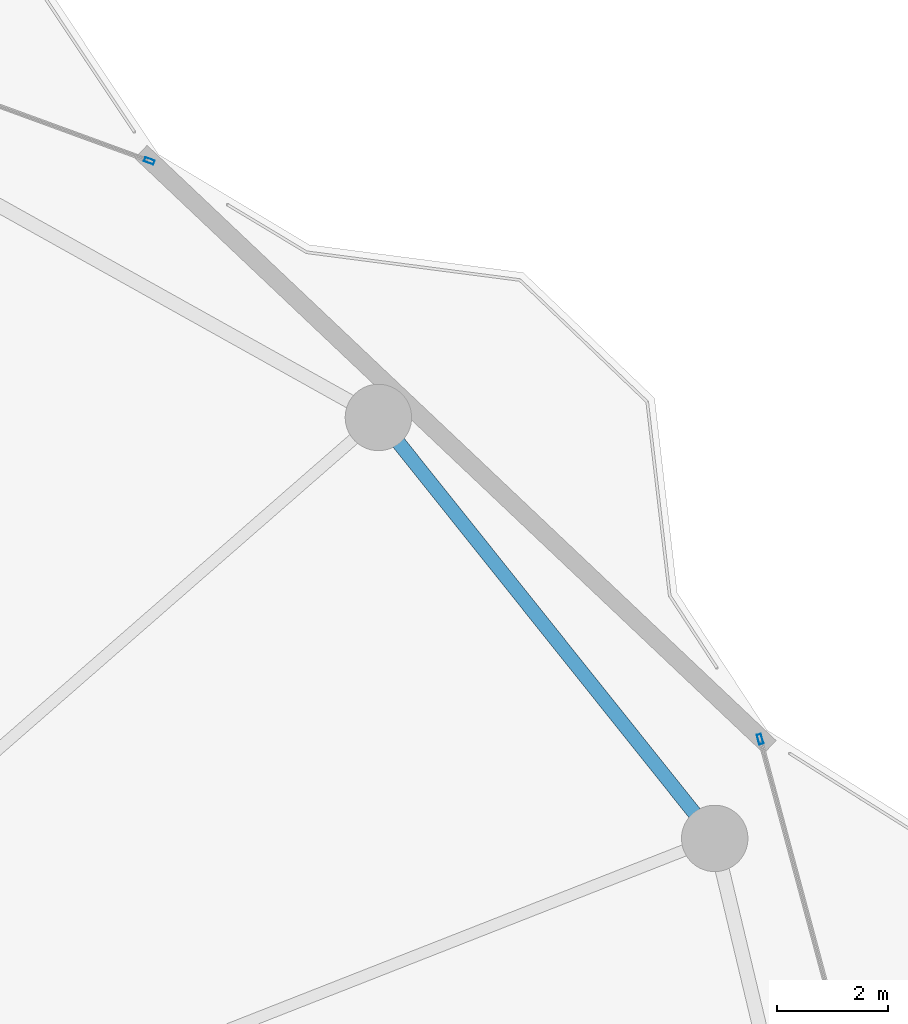
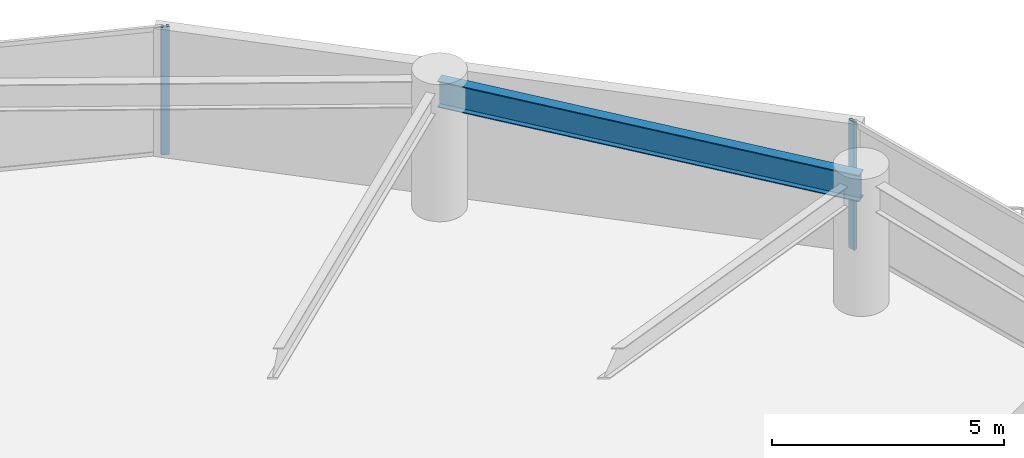
# One storey, part 21 of 28: 2 members, 1 beam, 2 elements without a shape of their own.
"""IFC4 building model written with IfcOpenShell, lengths in metres."""

from ifc_helpers import new_model, si_unit, direction, frame, origin, origin_2d, place, context, subcontext, project, spatial, hollow_rectangle, i_section, extrude, material, layer, layer_set, material_profile, profile_set, type_object, element, aggregate, save


model = new_model("IFC4")

# Units and contexts
model_context = context("Model", 3, precision=1e-05, world=origin(), true_north=direction((0.0, 1.0)))
body_context = subcontext(model_context, "Body", "Model", "MODEL_VIEW")
ifc_project = project(units=[si_unit("LENGTHUNIT", "METRE"), si_unit("AREAUNIT", "SQUARE_METRE"), si_unit("VOLUMEUNIT", "CUBIC_METRE"), si_unit("PLANEANGLEUNIT", "RADIAN"), si_unit("MASSUNIT", "GRAM", prefix="KILO")], contexts=[model_context])

# Site, building, storey
site_placement = place(None, origin())
site = spatial("IfcSite", under=ifc_project, at=site_placement, CompositionType="ELEMENT")
building_placement = place(site_placement, origin())
building = spatial("IfcBuilding", under=site, at=building_placement, Name="Kazevale Care Tower and Concert Hall", CompositionType="ELEMENT")
storey_placement = place(building_placement, frame((0.0, 0.0, 102.60009765625)))
storey = spatial("IfcBuildingStorey", under=building, at=storey_placement, Name="L26", CompositionType="ELEMENT", Elevation=102.60009765625)

# Curtain wall, member
ifc_material_1 = material(Name="Aluminium 6063-T6 and Low-E Glass", Category="aluminium")
ifc_layer_1 = layer(ifc_material_1, 0.179931640625)
ifc_layer_set_1 = layer_set([ifc_layer_1], Name="Aluminium 6063-T6 and Low-E Glass")
curtain_wall_type_1 = type_object("IfcCurtainWallType", Name="Convex Checkerboard Finned Curtain Wall CW-2", PredefinedType="NOTDEFINED", material=ifc_layer_set_1)
curtain_wall_1_placement = place(storey_placement, origin())
curtain_wall_1 = element("IfcCurtainWall", 1, at=curtain_wall_1_placement, inside=storey, type_object=curtain_wall_type_1, Name="cw:L26:f16", PredefinedType="NOTDEFINED")
ifc_material_2 = material(Name="Aluminium 6063-T6", Category="aluminium")
ifc_material_profile_1 = material_profile(ifc_material_2, hollow_rectangle(XDim=0.080078125, YDim=0.179931640625, WallThickness=0.0048828125, at=origin_2d()), Name="ALU80x180x5")
ifc_profile_set_1 = profile_set([ifc_material_profile_1], Name="Aluminium 6063-T6")
member_type_1 = type_object("IfcMemberType", Name="CW-2 Mullion ALU80x180x5", PredefinedType="MULLION", material=ifc_profile_set_1)
member_1_placement = place(storey_placement, frame((60.689453125, 59.2177734375, 0.0), z_axis=(0.0, 0.0, 1.0), x_axis=(0.343143453498, 0.939283008641, 0.0)))
member_1 = element("IfcMember", 2, at=member_1_placement, type_object=member_type_1, Name="CW-2 mullion 2", PredefinedType="MULLION", context=body_context, shape_type="SweptSolid", body=[
    extrude(hollow_rectangle(XDim=0.080078125, YDim=0.179931640625, WallThickness=0.0048828125, at=origin_2d()), origin(), (0.0, 0.0, 1.0), 3.35986328125),
])
aggregate(curtain_wall_1, [member_1])

ifc_layer_2 = layer(ifc_material_1, 0.179931640625)
ifc_layer_set_2 = layer_set([ifc_layer_2], Name="Aluminium 6063-T6 and Low-E Glass")
curtain_wall_type_2 = type_object("IfcCurtainWallType", Name="Waist & Upper Residential Curtain Wall CW-4", PredefinedType="NOTDEFINED", material=ifc_layer_set_2)
curtain_wall_2_placement = place(storey_placement, origin())
curtain_wall_2 = element("IfcCurtainWall", 3, at=curtain_wall_2_placement, inside=storey, type_object=curtain_wall_type_2, Name="cw:L26:f18", PredefinedType="NOTDEFINED")
ifc_material_profile_2 = material_profile(ifc_material_2, hollow_rectangle(XDim=0.080078125, YDim=0.179931640625, WallThickness=0.0048828125, at=origin_2d()), Name="ALU80x180x5")
ifc_profile_set_2 = profile_set([ifc_material_profile_2], Name="Aluminium 6063-T6")
member_type_2 = type_object("IfcMemberType", Name="CW-4 Mullion ALU80x180x5", PredefinedType="MULLION", material=ifc_profile_set_2)
member_2_placement = place(storey_placement, frame((71.73046875, 48.764404296875, 0.0), z_axis=(0.0, 0.0, 1.0), x_axis=(0.965806263229, 0.259264848961, 0.0)))
member_2 = element("IfcMember", 4, at=member_2_placement, type_object=member_type_2, Name="CW-4 mullion 1", PredefinedType="MULLION", context=body_context, shape_type="SweptSolid", body=[
    extrude(hollow_rectangle(XDim=0.080078125, YDim=0.179931640625, WallThickness=0.0048828125, at=origin_2d()), origin(), (0.0, 0.0, 1.0), 3.35986328125),
])
aggregate(curtain_wall_2, [member_2])

# Beam
ifc_material_3 = material(Name="Steel ASTM A572 Gr 50", Category="steel")
ifc_material_profile_3 = material_profile(ifc_material_3, i_section(OverallWidth=0.256103515625, OverallDepth=0.693115234375, WebThickness=0.014404296875, FlangeThickness=0.023681640625, at=origin_2d()), Name="W690x170")
ifc_profile_set_3 = profile_set([ifc_material_profile_3], Name="Steel ASTM A572 Gr 50")
beam_type = type_object("IfcBeamType", Name="Waist Ring Beam W690x170", PredefinedType="BEAM", material=ifc_profile_set_3)
beam_placement = place(storey_placement, frame((70.909912109375, 46.969970703125, 3.013427734375), z_axis=(-0.624178340034, 0.781281895242, 0.0), x_axis=(-0.781281895242, -0.624178340034, 0.0)))
element("IfcBeam", 5, at=beam_placement, inside=storey, type_object=beam_type, Name="beam:L26:ring:02", PredefinedType="BEAM", context=body_context, shape_type="SweptSolid", body=[
    extrude(i_section(OverallWidth=0.256103515625, OverallDepth=0.693115234375, WebThickness=0.014404296875, FlangeThickness=0.023681640625, at=origin_2d()), origin(), (0.0, 0.0, 1.0), 9.740478515625),
])

save(model, "model.ifc")
